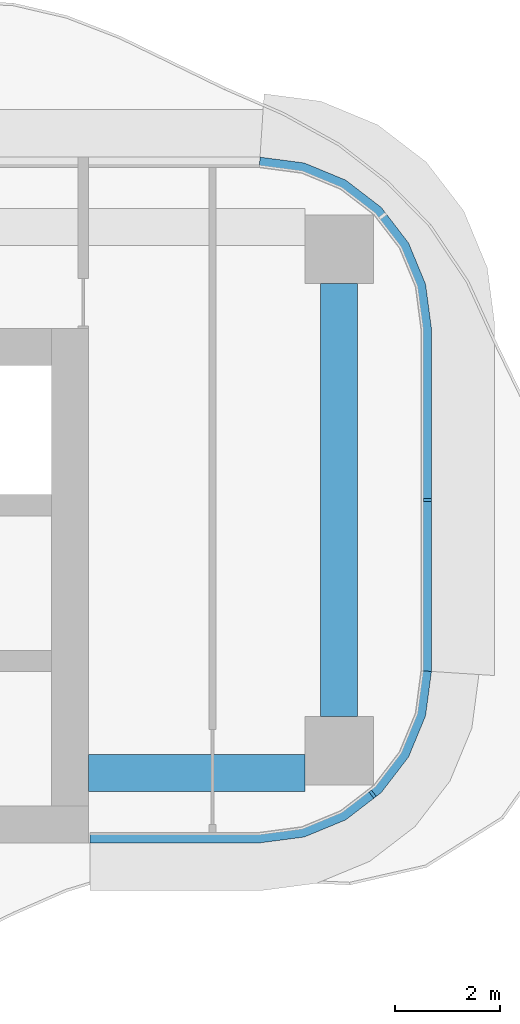
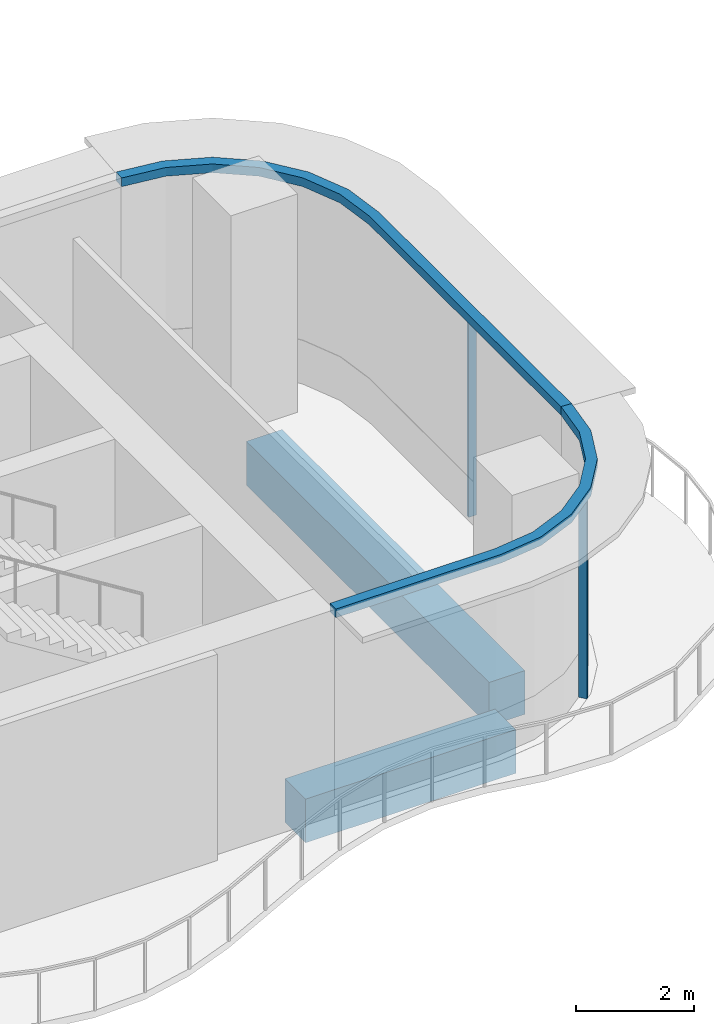
# One storey, part 7 of 23: 4 members, 2 beams, 2 elements without a shape of their own.
"""IFC4 building model written with IfcOpenShell, lengths in metres."""

from ifc_helpers import new_model, si_unit, direction, frame, origin, origin_2d, place, context, subcontext, project, spatial, polyline, rectangle, outline, extrude, source, transform, mapped, material, layer, layer_set, material_profile, profile_set, type_object, element, aggregate, save


model = new_model("IFC4")

# Units and contexts
model_context = context("Model", 3, precision=1e-05, world=origin(), true_north=direction((0.0, 1.0)))
body_context = subcontext(model_context, "Body", "Model", "MODEL_VIEW")
ifc_project = project(units=[si_unit("LENGTHUNIT", "METRE"), si_unit("AREAUNIT", "SQUARE_METRE"), si_unit("VOLUMEUNIT", "CUBIC_METRE"), si_unit("PLANEANGLEUNIT", "RADIAN"), si_unit("MASSUNIT", "GRAM", prefix="KILO")], contexts=[model_context])

# Site, building, storey
site_placement = place(None, origin())
site = spatial("IfcSite", under=ifc_project, at=site_placement, CompositionType="ELEMENT")
building_placement = place(site_placement, origin())
building = spatial("IfcBuilding", under=site, at=building_placement, Name="Trellis Farm Tower", CompositionType="ELEMENT")
storey_placement = place(building_placement, frame((0.0, 0.0, 120.0)))
storey = spatial("IfcBuildingStorey", under=building, at=storey_placement, Name="L25", CompositionType="ELEMENT", Elevation=120.0)

# Beams
ifc_material_1 = material(Name="Concrete C60/75", Category="concrete")
ifc_material_profile_1 = material_profile(ifc_material_1, rectangle(XDim=0.699951171875, YDim=0.89990234375, at=origin_2d()), Name="RC spandrel beam 700x900 C60/75")
ifc_profile_set_1 = profile_set([ifc_material_profile_1], Name="Concrete C60/75")
beam_type = type_object("IfcBeamType", Name="RC spandrel beam 700x900 C60/75", PredefinedType="SPANDREL", material=ifc_profile_set_1)
shared_shape_1 = source(origin(), body_context, "Body", "SweptSolid", [
    extrude(rectangle(XDim=0.699951171875, YDim=0.89990234375, at=origin_2d()), origin(), (0.0, 0.0, 1.0), 8.2001953125),
])
beam_1_placement = place(storey_placement, frame((27.5, -4.10009765625, -0.699951171875), z_axis=(0.0, 1.0, 0.0), x_axis=(-1.0, 0.0, 0.0)))
element("IfcBeam", 1, at=beam_1_placement, inside=storey, type_object=beam_type, Name="Girder", PredefinedType="SPANDREL", context=body_context, shape_type="MappedRepresentation", body=[
    mapped(shared_shape_1, transform((0.0, 0.0, 0.0))),
])
shared_shape_2 = source(origin(), body_context, "Body", "SweptSolid", [
    extrude(rectangle(XDim=0.699951171875, YDim=0.89990234375, at=origin_2d()), origin(), (0.0, 0.0, 1.0), 4.10009765625),
])
beam_2_placement = place(storey_placement, frame((22.75, -5.175048828125, -0.699951171875), z_axis=(1.0, 0.0, 0.0), x_axis=(0.0, 1.0, 0.0)))
element("IfcBeam", 2, at=beam_2_placement, inside=storey, type_object=beam_type, Name="Girder", PredefinedType="SPANDREL", context=body_context, shape_type="MappedRepresentation", body=[
    mapped(shared_shape_2, transform((0.0, 0.0, 0.0))),
])

# Curtain wall, member
ifc_material_2 = material(Name="Aluminium and glass curtain wall", Category="aluminium")
ifc_layer_1 = layer(ifc_material_2, 0.18994140625)
ifc_layer_set_1 = layer_set([ifc_layer_1], Name="RIBBON CURTAIN WALL CW1")
curtain_wall_type = type_object("IfcCurtainWallType", Name="RIBBON CURTAIN WALL CW1", PredefinedType="NOTDEFINED", material=ifc_layer_set_1)
placement_1 = place(storey_placement, origin())
curtain_wall_1 = element("IfcCurtainWall", 3, at=placement_1, inside=storey, type_object=curtain_wall_type, Name="CW1 006", PredefinedType="NOTDEFINED")
ifc_material_3 = material(Name="Aluminium extrusion 6063-T6", Category="aluminium")
ifc_material_profile_2 = material_profile(ifc_material_3, rectangle(XDim=0.06005859375, YDim=0.14990234375, at=origin_2d()), Name="MULLION 60x150")
ifc_profile_set_2 = profile_set([ifc_material_profile_2], Name="Aluminium extrusion 6063-T6")
member_type_1 = type_object("IfcMemberType", Name="CW1 MULLION 60x150", PredefinedType="MULLION", material=ifc_profile_set_2)
shared_shape_3 = source(origin(), body_context, "Body", "SweptSolid", [
    extrude(rectangle(XDim=0.06005859375, YDim=0.14990234375, at=origin_2d()), origin(), (0.0, 0.0, 1.0), 4.070068359375),
])
member_1_placement = place(storey_placement, frame((28.135498046875, -5.578369140625, 0.0), z_axis=(0.0, 0.0, 1.0), x_axis=(0.793353340291, 0.608761429009, 0.0)))
member_1 = element("IfcMember", 4, at=member_1_placement, type_object=member_type_1, Name="MU1 006-01", PredefinedType="MULLION", context=body_context, shape_type="MappedRepresentation", body=[
    mapped(shared_shape_3, transform((0.0, 0.0, 0.0))),
])

curtain_wall_2 = element("IfcCurtainWall", 5, at=placement_1, inside=storey, type_object=curtain_wall_type, Name="CW1 007", PredefinedType="NOTDEFINED")
member_2_placement = place(storey_placement, frame((29.175048828125, 0.0, 0.0), z_axis=(0.0, 0.0, 1.0), x_axis=(0.0, 1.0, 0.0)))
member_2 = element("IfcMember", 6, at=member_2_placement, type_object=member_type_1, Name="MU1 007-01", PredefinedType="MULLION", context=body_context, shape_type="MappedRepresentation", body=[
    mapped(shared_shape_3, transform((0.0, 0.0, 0.0))),
])

# Member
ifc_layer_2 = layer(ifc_material_3, 0.199951171875)
ifc_layer_set_2 = layer_set([ifc_layer_2], Name="Aluminium extrusion 6063-T6")
member_type_2 = type_object("IfcMemberType", Name="CW1 TRANSOM 200x180", PredefinedType="USERDEFINED", material=ifc_layer_set_2)
shared_shape_4 = source(origin(), body_context, "Body", "SweptSolid", [
    extrude(outline(polyline([(22.780029296875, -6.5), (26.0, -6.5), (26.841064453125, -6.38916015625), (27.625, -6.064697265625), (28.298095703125, -5.548095703125), (28.814697265625, -4.875), (29.13916015625, -4.091064453125), (29.25, -3.25), (29.050048828125, -3.23681640625), (28.9443359375, -4.0390625), (28.639892578125, -4.774169921875), (28.155517578125, -5.405517578125), (27.524169921875, -5.889892578125), (26.7890625, -6.1943359375), (25.98681640625, -6.300048828125), (22.780029296875, -6.300048828125), (22.780029296875, -6.5)])), origin(), (0.0, 0.0, 1.0), 0.179931640625),
])
placement_2 = place(storey_placement, frame((0.0, 0.0, 4.070068359375)))
member_3 = element("IfcMember", 7, at=placement_2, type_object=member_type_2, Name="TR1 006", ObjectType="TRANSOM", PredefinedType="USERDEFINED", context=body_context, shape_type="MappedRepresentation", body=[
    mapped(shared_shape_4, transform((0.0, 0.0, 0.0))),
])

aggregate(curtain_wall_1, [member_1, member_3])

shared_shape_5 = source(origin(), body_context, "Body", "SweptSolid", [
    extrude(outline(polyline([(29.25, -3.25), (29.25, 3.25), (29.13916015625, 4.091064453125), (28.814697265625, 4.875), (28.298095703125, 5.548095703125), (27.625, 6.064697265625), (26.841064453125, 6.38916015625), (26.0, 6.5), (25.98681640625, 6.300048828125), (26.7890625, 6.1943359375), (27.524169921875, 5.889892578125), (28.155517578125, 5.405517578125), (28.639892578125, 4.774169921875), (28.9443359375, 4.0390625), (29.050048828125, 3.23681640625), (29.050048828125, -3.23681640625), (29.25, -3.25)])), origin(), (0.0, 0.0, 1.0), 0.179931640625),
])
member_4 = element("IfcMember", 8, at=placement_2, type_object=member_type_2, Name="TR1 007", ObjectType="TRANSOM", PredefinedType="USERDEFINED", context=body_context, shape_type="MappedRepresentation", body=[
    mapped(shared_shape_5, transform((0.0, 0.0, 0.0))),
])

aggregate(curtain_wall_2, [member_2, member_4])

save(model, "model.ifc")
